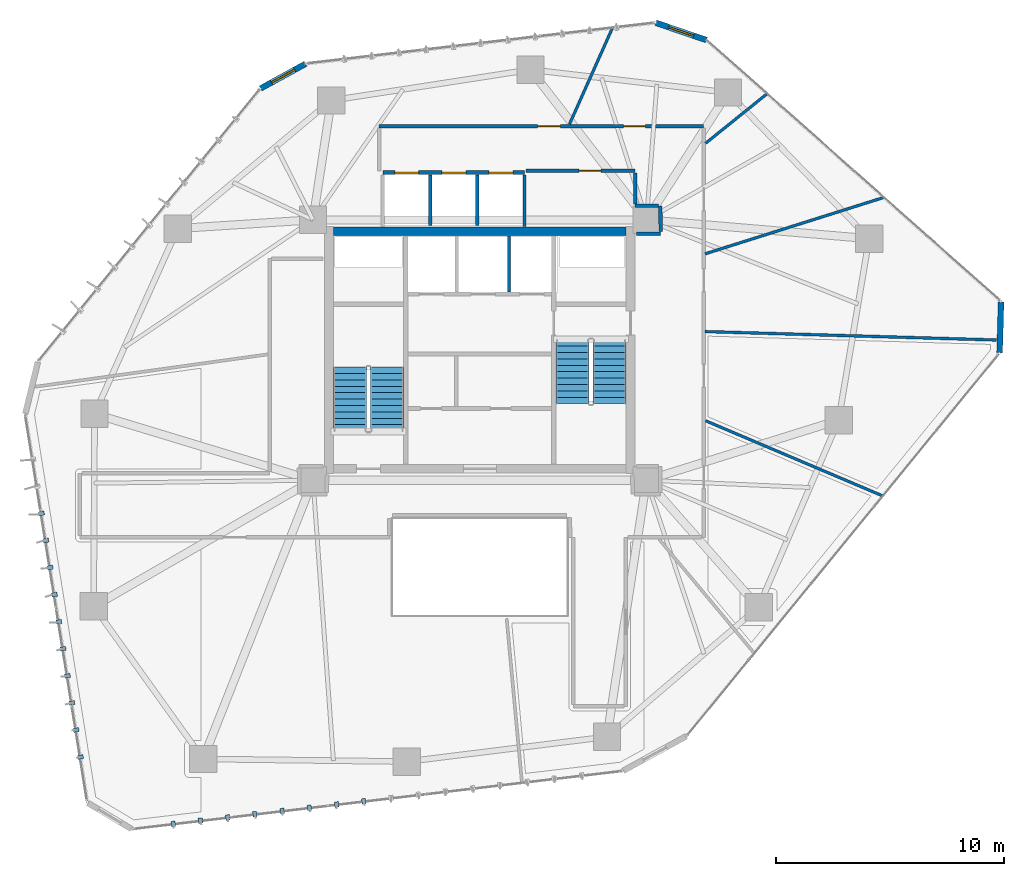
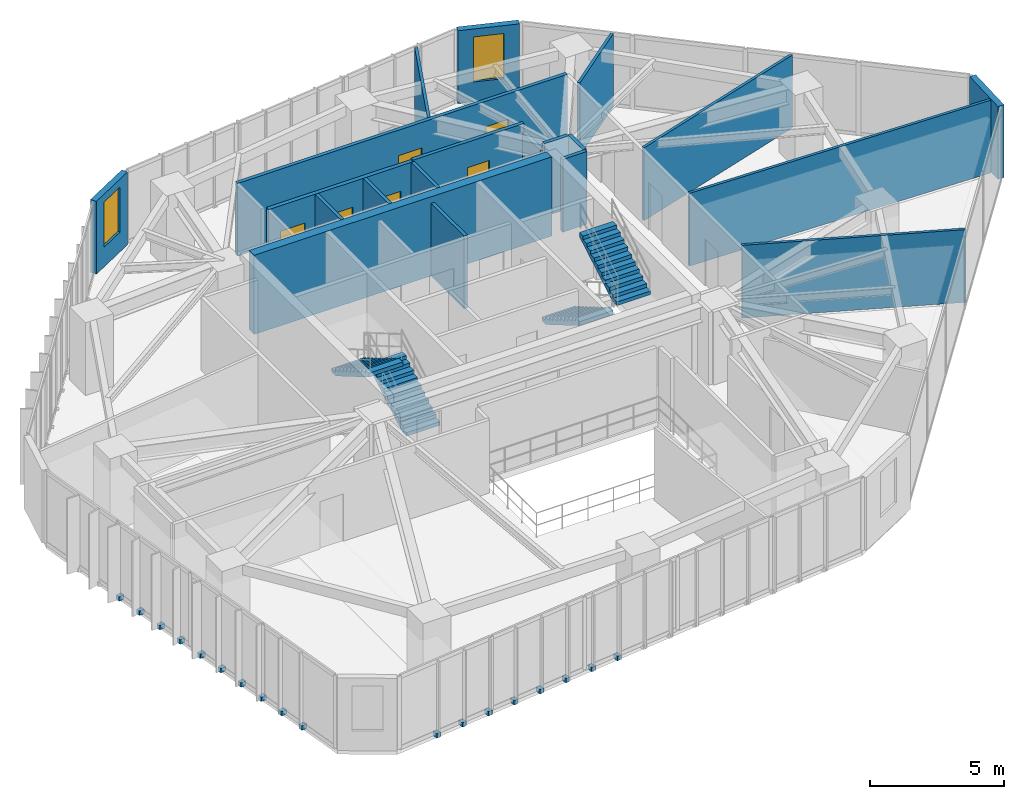
# One storey, part 20 of 24: 20 walls, 18 discrete accessories, 6 doors, 4 stair flights, 2 windows, 8 openings, 2 elements without a shape of their own.
"""IFC4 building model written with IfcOpenShell, lengths in metres."""

from ifc_helpers import new_model, si_unit, direction, frame, frame_2d, origin, origin_2d, place, context, subcontext, project, spatial, polyline, rectangle, outline, extrude, source, transform, mapped, material, layer, layer_set, type_object, type_shapes, element, fill, aggregate, save


model = new_model("IFC4")

# Units and contexts
model_context = context("Model", 3, precision=1e-05, world=origin(), true_north=direction((0.0, 1.0)))
body_context = subcontext(model_context, "Body", "Model", "MODEL_VIEW")
ifc_project = project(units=[si_unit("LENGTHUNIT", "METRE"), si_unit("AREAUNIT", "SQUARE_METRE"), si_unit("VOLUMEUNIT", "CUBIC_METRE"), si_unit("PLANEANGLEUNIT", "RADIAN"), si_unit("MASSUNIT", "GRAM", prefix="KILO")], contexts=[model_context])

# Site, building, storey
site_placement = place(None, origin())
site = spatial("IfcSite", under=ifc_project, at=site_placement, CompositionType="ELEMENT")
building_placement = place(site_placement, origin())
building = spatial("IfcBuilding", under=site, at=building_placement, Name="Talar Marvaseh", CompositionType="ELEMENT")
storey_placement = place(building_placement, frame((0.0, 0.0, 111.0)))
storey = spatial("IfcBuildingStorey", under=building, at=storey_placement, Name="L28", CompositionType="ELEMENT", Elevation=111.0)

# Wall, opening, window
ifc_material_1 = material(Name="Precast concrete C45/55", Category="concrete")
ifc_layer_1 = layer(ifc_material_1, 0.2548828125)
ifc_layer_set_1 = layer_set([ifc_layer_1], Name="Precast concrete C45/55")
wall_type_1 = type_object("IfcWallType", Name="Chamfered Hexagonal Corner Pier Wall Z2 255", PredefinedType="SOLIDWALL", material=ifc_layer_set_1)
wall_1_placement = place(storey_placement, frame((16.407470703125, 42.651123046875, 0.0), z_axis=(0.0, 0.0, 1.0), x_axis=(0.876725134961, 0.480991723138, 0.0)))
wall_1 = element("IfcWall", 1, at=wall_1_placement, inside=storey, type_object=wall_type_1, Name="L28 Chamfered Corner Limestone Pier 3", PredefinedType="SOLIDWALL", context=body_context, shape_type="SweptSolid", body=[
    extrude(rectangle(XDim=2.2451171875, YDim=0.2548828125, at=frame_2d((1.12255859375, 0.0))), origin(), (0.0, 0.0, 1.0), 3.31005859375),
])
opening_1_placement = place(wall_1_placement, frame((0.548095703125, 0.0, 0.89990234375)))
opening_1 = element("IfcOpeningElement", 2, at=opening_1_placement, cuts=wall_1, Name="Opening WN-CHM11", PredefinedType="OPENING", context=body_context, shape_type="SweptSolid", body=[
    extrude(rectangle(XDim=1.14990234375, YDim=2.050048828125, at=frame_2d((0.574951171875, 1.02490234375))), frame((0.0, 0.137451171875, 0.0), z_axis=(0.0, -1.0, 0.0), x_axis=(1.0, 0.0, 0.0)), (0.0, 0.0, 1.0), 0.27490234375),
])
ifc_material_2 = material(Name="Laminated Low-E Solar Glass", Category="glass")
window_type = type_object("IfcWindowType", Name="Zone 2 Chamfered Corner Slot Window 1150x2050", PartitioningType="SINGLE_PANEL", PredefinedType="WINDOW", material=ifc_material_2)
shared_shape_1 = source(origin(), body_context, "Body", "SweptSolid", [
    extrude(rectangle(XDim=1.14990234375, YDim=2.050048828125, at=frame_2d((0.574951171875, 1.02490234375))), frame((0.0, 0.030029296875, 0.0), z_axis=(0.0, -1.0, 0.0), x_axis=(1.0, 0.0, 0.0)), (0.0, 0.0, 1.0), 0.06005859375),
])
type_shapes(window_type, [shared_shape_1])
window_1_placement = place(opening_1_placement, origin())
window_1 = element("IfcWindow", 3, at=window_1_placement, inside=storey, type_object=window_type, Name="L28 Chamfered Corner Slot Window", OverallHeight=2.050048828125, OverallWidth=1.14990234375, PartitioningType="SINGLE_PANEL", PredefinedType="WINDOW", context=body_context, shape_type="MappedRepresentation", body=[
    mapped(shared_shape_1, transform((0.0, 0.0, 0.0), x_axis=(1.0, 0.0, 0.0), y_axis=(0.0, 1.0, 0.0), z_axis=(0.0, 0.0, 1.0), scale=1.0)),
])
fill(opening_1, window_1)

wall_2_placement = place(storey_placement, frame((33.709716796875, 45.52587890625, 0.0), z_axis=(0.0, 0.0, 1.0), x_axis=(0.946214410177, -0.32354024475, 0.0)))
wall_2 = element("IfcWall", 4, at=wall_2_placement, inside=storey, type_object=wall_type_1, Name="L28 Chamfered Corner Limestone Pier 4", PredefinedType="SOLIDWALL", context=body_context, shape_type="SweptSolid", body=[
    extrude(rectangle(XDim=2.3408203125, YDim=0.2548828125, at=frame_2d((1.17041015625, 0.0))), origin(), (0.0, 0.0, 1.0), 3.31005859375),
])
opening_2_placement = place(wall_2_placement, frame((0.594970703125, 0.0, 0.89990234375)))
opening_2 = element("IfcOpeningElement", 5, at=opening_2_placement, cuts=wall_2, Name="Opening WN-CHM11", PredefinedType="OPENING", context=body_context, shape_type="SweptSolid", body=[
    extrude(rectangle(XDim=1.14990234375, YDim=2.050048828125, at=frame_2d((0.574951171875, 1.02490234375))), frame((0.0, 0.137451171875, 0.0), z_axis=(0.0, -1.0, 0.0), x_axis=(1.0, 0.0, 0.0)), (0.0, 0.0, 1.0), 0.27490234375),
])
window_2_placement = place(opening_2_placement, origin())
window_2 = element("IfcWindow", 6, at=window_2_placement, inside=storey, type_object=window_type, Name="L28 Chamfered Corner Slot Window", OverallHeight=2.050048828125, OverallWidth=1.14990234375, PartitioningType="SINGLE_PANEL", PredefinedType="WINDOW", context=body_context, shape_type="MappedRepresentation", body=[
    mapped(shared_shape_1, transform((0.0, 0.0, 0.0), x_axis=(1.0, 0.0, 0.0), y_axis=(0.0, 1.0, 0.0), z_axis=(0.0, 0.0, 1.0), scale=1.0)),
])
fill(opening_2, window_2)

# Wall
wall_3_placement = place(storey_placement, frame((48.82177734375, 33.296875, 0.0), z_axis=(0.0, 0.0, 1.0), x_axis=(-0.029298711445, -0.999570700605, 0.0)))
element("IfcWall", 7, at=wall_3_placement, inside=storey, type_object=wall_type_1, Name="L28 Chamfered Corner Limestone Pier 5", PredefinedType="SOLIDWALL", context=body_context, shape_type="SweptSolid", body=[
    extrude(rectangle(XDim=2.216552734375, YDim=0.2548828125, at=frame_2d((1.1083984375, 0.0))), origin(), (0.0, 0.0, 1.0), 3.31005859375),
])

# Wall, opening, door
ifc_material_3 = material(Name="Gypsum Board Partition Assembly")
ifc_layer_2 = layer(ifc_material_3, 0.155029296875)
ifc_layer_set_2 = layer_set([ifc_layer_2], Name="Gypsum Board Partition Assembly")
wall_type_2 = type_object("IfcWallType", Name="Corridor Fire-Rated Acoustic Partition 155", PredefinedType="PARTITIONING", material=ifc_layer_set_2)
wall_4_placement = place(storey_placement, frame((32.800048828125, 39.0400390625, 0.0), z_axis=(0.0, 0.0, 1.0), x_axis=(-1.0, 0.0, 0.0)))
wall_4 = element("IfcWall", 8, at=wall_4_placement, inside=storey, type_object=wall_type_2, Name="L28 Interior Partition Wall", PredefinedType="PARTITIONING", context=body_context, shape_type="SweptSolid", body=[
    extrude(rectangle(XDim=4.77001953125, YDim=0.155029296875, at=frame_2d((2.385009765625, 0.0))), origin(), (0.0, 0.0, 1.0), 3.31005859375),
])
opening_3_placement = place(wall_4_placement, frame((1.494873046875, 0.0, 0.0)))
opening_3 = element("IfcOpeningElement", 9, at=opening_3_placement, cuts=wall_4, Name="Opening DR-WC095", PredefinedType="OPENING", context=body_context, shape_type="SweptSolid", body=[
    extrude(rectangle(XDim=0.949951171875, YDim=2.14990234375, at=frame_2d((0.47509765625, 1.074951171875))), frame((0.0, 0.08740234375, 0.0), z_axis=(0.0, -1.0, 0.0), x_axis=(1.0, 0.0, 0.0)), (0.0, 0.0, 1.0), 0.175048828125),
])
ifc_material_4 = material(Name="Acoustic Engineered Oak Timber", Category="wood")
door_type_1 = type_object("IfcDoorType", Name="Washroom and Service Room Door 950x2150", OperationType="NOTDEFINED", PredefinedType="DOOR", material=ifc_material_4)
shared_shape_2 = source(origin(), body_context, "Body", "SweptSolid", [
    extrude(rectangle(XDim=0.949951171875, YDim=2.14990234375, at=frame_2d((0.47509765625, 1.074951171875))), frame((0.0, 0.02490234375, 0.0), z_axis=(0.0, -1.0, 0.0), x_axis=(1.0, 0.0, 0.0)), (0.0, 0.0, 1.0), 0.050048828125),
])
type_shapes(door_type_1, [shared_shape_2])
door_1_placement = place(opening_3_placement, origin())
door_1 = element("IfcDoor", 10, at=door_1_placement, inside=storey, type_object=door_type_1, Name="L28 WC Public Washrooms Door", OperationType="SINGLE_SWING_RIGHT", OverallHeight=2.14990234375, OverallWidth=0.949951171875, PredefinedType="DOOR", context=body_context, shape_type="MappedRepresentation", body=[
    mapped(shared_shape_2, transform((0.0, 0.0, 0.0), x_axis=(1.0, 0.0, 0.0), y_axis=(0.0, 1.0, 0.0), z_axis=(0.0, 0.0, 1.0), scale=1.0)),
])
fill(opening_3, door_1)

# Wall, openings, doors
wall_5_placement = place(storey_placement, frame((21.60009765625, 41.0, 0.0), z_axis=(0.0, 0.0, 1.0), x_axis=(1.0, 0.0, 0.0)))
wall_5 = element("IfcWall", 11, at=wall_5_placement, inside=storey, type_object=wall_type_2, Name="L28 Interior Partition Wall", PredefinedType="PARTITIONING", context=body_context, shape_type="SweptSolid", body=[
    extrude(rectangle(XDim=14.199951171875, YDim=0.155029296875, at=frame_2d((7.10009765625, 0.0))), origin(), (0.0, 0.0, 1.0), 3.31005859375),
])
opening_4_placement = place(wall_5_placement, frame((10.7001953125, 0.0, 0.0)))
opening_4 = element("IfcOpeningElement", 12, at=opening_4_placement, cuts=wall_5, Name="Opening DR-WC095", PredefinedType="OPENING", context=body_context, shape_type="SweptSolid", body=[
    extrude(rectangle(XDim=0.949951171875, YDim=2.14990234375, at=frame_2d((0.47509765625, 1.074951171875))), frame((0.0, 0.08740234375, 0.0), z_axis=(0.0, -1.0, 0.0), x_axis=(1.0, 0.0, 0.0)), (0.0, 0.0, 1.0), 0.175048828125),
])
opening_5_placement = place(wall_5_placement, frame((6.930419921875, 0.0, 0.0)))
opening_5 = element("IfcOpeningElement", 13, at=opening_5_placement, cuts=wall_5, Name="Opening DR-RM100", PredefinedType="OPENING", context=body_context, shape_type="SweptSolid", body=[
    extrude(rectangle(XDim=1.0, YDim=2.14990234375, at=frame_2d((0.5, 1.074951171875))), frame((0.0, 0.08740234375, 0.0), z_axis=(0.0, -1.0, 0.0), x_axis=(1.0, 0.0, 0.0)), (0.0, 0.0, 1.0), 0.175048828125),
])
door_2_placement = place(opening_4_placement, origin())
door_2 = element("IfcDoor", 14, at=door_2_placement, inside=storey, type_object=door_type_1, Name="L28 Accessible WC Door", OperationType="SINGLE_SWING_LEFT", OverallHeight=2.14990234375, OverallWidth=0.949951171875, PredefinedType="DOOR", context=body_context, shape_type="MappedRepresentation", body=[
    mapped(shared_shape_2, transform((0.0, 0.0, 0.0), x_axis=(1.0, 0.0, 0.0), y_axis=(0.0, 1.0, 0.0), z_axis=(0.0, 0.0, 1.0), scale=1.0)),
])
fill(opening_4, door_2)
door_type_2 = type_object("IfcDoorType", Name="Corridor Fire-Rated Gallery Door 1000x2150", OperationType="NOTDEFINED", PredefinedType="DOOR", material=ifc_material_4)
shared_shape_3 = source(origin(), body_context, "Body", "SweptSolid", [
    extrude(rectangle(XDim=1.0, YDim=2.14990234375, at=frame_2d((0.5, 1.074951171875))), frame((0.0, 0.02490234375, 0.0), z_axis=(0.0, -1.0, 0.0), x_axis=(1.0, 0.0, 0.0)), (0.0, 0.0, 1.0), 0.050048828125),
])
type_shapes(door_type_2, [shared_shape_3])
door_3_placement = place(opening_5_placement, origin())
door_3 = element("IfcDoor", 15, at=door_3_placement, inside=storey, type_object=door_type_2, Name="L28 Conservation Laboratory Door", OperationType="SINGLE_SWING_LEFT", OverallHeight=2.14990234375, OverallWidth=1.0, PredefinedType="DOOR", context=body_context, shape_type="MappedRepresentation", body=[
    mapped(shared_shape_3, transform((0.0, 0.0, 0.0), x_axis=(1.0, 0.0, 0.0), y_axis=(0.0, 1.0, 0.0), z_axis=(0.0, 0.0, 1.0), scale=1.0)),
])
fill(opening_5, door_3)

# Walls
wall_6_placement = place(storey_placement, frame((32.8701171875, 36.284912109375, 0.0), z_axis=(0.0, 0.0, 1.0), x_axis=(0.999895094683, 0.014484461652, 0.0)))
element("IfcWall", 16, at=wall_6_placement, inside=storey, type_object=wall_type_2, Name="L28 Interior Partition Wall", PredefinedType="PARTITIONING", context=body_context, shape_type="SweptSolid", body=[
    extrude(rectangle(XDim=1.044921875, YDim=0.155029296875, at=frame_2d((0.5224609375, 0.0))), origin(), (0.0, 0.0, 1.0), 3.31005859375),
])
wall_7_placement = place(storey_placement, frame((33.914794921875, 36.383544921875, 0.0), z_axis=(0.0, 0.0, 1.0), x_axis=(-0.003682817312, 0.999993218405, 0.0)))
element("IfcWall", 17, at=wall_7_placement, inside=storey, type_object=wall_type_2, Name="L28 Interior Partition Wall", PredefinedType="PARTITIONING", context=body_context, shape_type="SweptSolid", body=[
    extrude(rectangle(XDim=1.126953125, YDim=0.155029296875, at=frame_2d((0.5634765625, 0.0))), origin(), (0.0, 0.0, 1.0), 3.31005859375),
])
wall_8_placement = place(storey_placement, frame((33.8271484375, 37.510986328125, 0.0), z_axis=(0.0, 0.0, 1.0), x_axis=(-0.99999276797, 0.003803157663, 0.0)))
element("IfcWall", 18, at=wall_8_placement, inside=storey, type_object=wall_type_2, Name="L28 Interior Partition Wall", PredefinedType="PARTITIONING", context=body_context, shape_type="SweptSolid", body=[
    extrude(rectangle(XDim=1.027099609375, YDim=0.155029296875, at=frame_2d((0.513671875, 0.0))), origin(), (0.0, 0.0, 1.0), 3.31005859375),
])
wall_9_placement = place(storey_placement, frame((32.800048828125, 37.598388671875, 0.0), z_axis=(0.0, 0.0, 1.0), x_axis=(0.0, 1.0, 0.0)))
element("IfcWall", 19, at=wall_9_placement, inside=storey, type_object=wall_type_2, Name="L28 Interior Partition Wall", PredefinedType="PARTITIONING", context=body_context, shape_type="SweptSolid", body=[
    extrude(rectangle(XDim=1.358154296875, YDim=0.155029296875, at=frame_2d((0.67919921875, 0.0))), origin(), (0.0, 0.0, 1.0), 2.927001953125),
])
ifc_layer_3 = layer(ifc_material_3, 0.1201171875)
ifc_layer_set_3 = layer_set([ifc_layer_3], Name="Gypsum Board Partition Assembly")
wall_type_3 = type_object("IfcWallType", Name="Demountable Studio Room Partition 120", PredefinedType="PARTITIONING", material=ifc_layer_set_3)
wall_10_placement = place(storey_placement, frame((35.883544921875, 28.1044921875, 0.0), z_axis=(0.0, 0.0, 1.0), x_axis=(0.920570077992, -0.390577433431, 0.0)))
element("IfcWall", 20, at=wall_10_placement, inside=storey, type_object=wall_type_3, Name="L28 Interior Partition Wall", PredefinedType="PARTITIONING", context=body_context, shape_type="SweptSolid", body=[
    extrude(rectangle(XDim=8.4091796875, YDim=0.1201171875, at=frame_2d((4.20458984375, 0.0))), origin(), (0.0, 0.0, 1.0), 3.31005859375),
])
wall_11_placement = place(storey_placement, frame((35.864990234375, 32.008056640625, 0.0), z_axis=(0.0, 0.0, 1.0), x_axis=(0.999580859491, -0.028950049028, 0.0)))
element("IfcWall", 21, at=wall_11_placement, inside=storey, type_object=wall_type_3, Name="L28 Interior Partition Wall", PredefinedType="PARTITIONING", context=body_context, shape_type="SweptSolid", body=[
    extrude(rectangle(XDim=12.7509765625, YDim=0.1201171875, at=frame_2d((6.37548828125, 0.0))), origin(), (0.0, 0.0, 1.0), 3.31005859375),
])
wall_12_placement = place(storey_placement, frame((35.862060546875, 35.40966796875, 0.0), z_axis=(0.0, 0.0, 1.0), x_axis=(0.95366062415, 0.300884386344, 0.0)))
element("IfcWall", 22, at=wall_12_placement, inside=storey, type_object=wall_type_3, Name="L28 Interior Partition Wall", PredefinedType="PARTITIONING", context=body_context, shape_type="SweptSolid", body=[
    extrude(rectangle(XDim=8.184814453125, YDim=0.1201171875, at=frame_2d((4.09228515625, 0.0))), origin(), (0.0, 0.0, 1.0), 3.31005859375),
])
wall_13_placement = place(storey_placement, frame((35.883544921875, 40.247314453125, 0.0), z_axis=(0.0, 0.0, 1.0), x_axis=(0.778840676671, 0.627221811134, 0.0)))
element("IfcWall", 23, at=wall_13_placement, inside=storey, type_object=wall_type_3, Name="L28 Interior Partition Wall", PredefinedType="PARTITIONING", context=body_context, shape_type="SweptSolid", body=[
    extrude(rectangle(XDim=3.436279296875, YDim=0.1201171875, at=frame_2d((1.71826171875, 0.0))), origin(), (0.0, 0.0, 1.0), 3.31005859375),
])
wall_14_placement = place(storey_placement, frame((29.92724609375, 41.08349609375, 0.0), z_axis=(0.0, 0.0, 1.0), x_axis=(0.407599507772, 0.913160797047, 0.0)))
element("IfcWall", 24, at=wall_14_placement, inside=storey, type_object=wall_type_3, Name="L28 Interior Partition Wall", PredefinedType="PARTITIONING", context=body_context, shape_type="SweptSolid", body=[
    extrude(rectangle(XDim=4.60302734375, YDim=0.1201171875, at=frame_2d((2.301513671875, 0.0))), origin(), (0.0, 0.0, 1.0), 3.31005859375),
])
ifc_layer_4 = layer(ifc_material_1, 0.14501953125)
ifc_layer_set_4 = layer_set([ifc_layer_4], Name="Precast concrete C45/55")
wall_type_4 = type_object("IfcWallType", Name="Fire-Rated Lift Divider Wall 145", PredefinedType="SOLIDWALL", material=ifc_layer_set_4)
wall_15_placement = place(storey_placement, frame((27.280029296875, 33.743408203125, 0.0), z_axis=(0.0, 0.0, 1.0), x_axis=(0.0, 1.0, 0.0)))
element("IfcWall", 25, at=wall_15_placement, inside=storey, type_object=wall_type_4, Name="L28 FFL-2/SVL-1 Divider", PredefinedType="SOLIDWALL", context=body_context, shape_type="SweptSolid", body=[
    extrude(rectangle(XDim=2.45654296875, YDim=0.14501953125, at=frame_2d((1.228271484375, 0.0))), origin(), (0.0, 0.0, 1.0), 3.31005859375),
])
wall_16_placement = place(storey_placement, frame((27.9599609375, 36.60009765625, 0.0), z_axis=(0.0, 0.0, 1.0), x_axis=(0.0, 1.0, 0.0)))
element("IfcWall", 26, at=wall_16_placement, inside=storey, type_object=wall_type_4, Name="L28 Low-Rise Bank East Wall", PredefinedType="SOLIDWALL", context=body_context, shape_type="SweptSolid", body=[
    extrude(rectangle(XDim=2.266357421875, YDim=0.14501953125, at=frame_2d((1.13330078125, 0.0))), origin(), (0.0, 0.0, 1.0), 3.31005859375),
])
for number, where, z_axis, x_axis, name in (
    (27, (23.830078125, 36.659912109375, 0.0), (0.0, 0.0, 1.0), (0.0, 1.0, 0.0), "L28 PL-L1/PL-L2 Divider"),
    (28, (25.889892578125, 36.659912109375, 0.0), (0.0, 0.0, 1.0), (0.0, 1.0, 0.0), "L28 PL-L2/PL-L3 Divider"),
):
    element("IfcWall", number, at=place(storey_placement, frame(where, z_axis=z_axis, x_axis=x_axis)), inside=storey, type_object=wall_type_4, Name=name, PredefinedType="SOLIDWALL", context=body_context, shape_type="SweptSolid", body=[
        extrude(rectangle(XDim=2.20654296875, YDim=0.14501953125, at=frame_2d((1.103271484375, 0.0))), origin(), (0.0, 0.0, 1.0), 3.31005859375),
    ])

# Wall, openings, doors
ifc_layer_5 = layer(ifc_material_1, 0.175048828125)
ifc_layer_set_5 = layer_set([ifc_layer_5], Name="Precast concrete C45/55")
wall_type_5 = type_object("IfcWallType", Name="Fire-Rated Lift Hoistway Enclosure Wall 175", PredefinedType="SOLIDWALL", material=ifc_layer_set_5)
wall_17_placement = place(storey_placement, frame((21.760009765625, 38.9599609375, 0.0), z_axis=(0.0, 0.0, 1.0), x_axis=(1.0, 0.0, 0.0)))
wall_17 = element("IfcWall", 29, at=wall_17_placement, inside=storey, type_object=wall_type_5, Name="L28 Low-Rise Lift Bank Front Wall", PredefinedType="SOLIDWALL", context=body_context, shape_type="SweptSolid", body=[
    extrude(rectangle(XDim=6.199951171875, YDim=0.175048828125, at=frame_2d((3.10009765625, 0.0))), origin(), (0.0, 0.0, 1.0), 3.31005859375),
])
opening_6_placement = place(wall_17_placement, frame((0.52001953125, 0.0, 0.0)))
opening_6 = element("IfcOpeningElement", 30, at=opening_6_placement, cuts=wall_17, Name="Opening LD-PLL1", PredefinedType="OPENING", context=body_context, shape_type="SweptSolid", body=[
    extrude(rectangle(XDim=1.050048828125, YDim=2.14990234375, at=frame_2d((0.52490234375, 1.074951171875))), frame((0.0, 0.09765625, 0.0), z_axis=(0.0, -1.0, 0.0), x_axis=(1.0, 0.0, 0.0)), (0.0, 0.0, 1.0), 0.195068359375),
])
opening_7_placement = place(wall_17_placement, frame((2.580078125, 0.0, 0.0)))
opening_7 = element("IfcOpeningElement", 31, at=opening_7_placement, cuts=wall_17, Name="Opening LD-PLL2", PredefinedType="OPENING", context=body_context, shape_type="SweptSolid", body=[
    extrude(rectangle(XDim=1.050048828125, YDim=2.14990234375, at=frame_2d((0.52490234375, 1.074951171875))), frame((0.0, 0.09765625, 0.0), z_axis=(0.0, -1.0, 0.0), x_axis=(1.0, 0.0, 0.0)), (0.0, 0.0, 1.0), 0.195068359375),
])
opening_8_placement = place(wall_17_placement, frame((4.639892578125, 0.0, 0.0)))
opening_8 = element("IfcOpeningElement", 32, at=opening_8_placement, cuts=wall_17, Name="Opening LD-PLL3", PredefinedType="OPENING", context=body_context, shape_type="SweptSolid", body=[
    extrude(rectangle(XDim=1.050048828125, YDim=2.14990234375, at=frame_2d((0.52490234375, 1.074951171875))), frame((0.0, 0.09765625, 0.0), z_axis=(0.0, -1.0, 0.0), x_axis=(1.0, 0.0, 0.0)), (0.0, 0.0, 1.0), 0.195068359375),
])
ifc_material_5 = material(Name="Stainless Steel Grade 316", Category="steel")
door_type_3 = type_object("IfcDoorType", Name="Automatic Sliding Lift Landing Door 1050x2150", OperationType="NOTDEFINED", PredefinedType="DOOR", material=ifc_material_5)
shared_shape_4 = source(origin(), body_context, "Body", "SweptSolid", [
    extrude(rectangle(XDim=1.050048828125, YDim=2.14990234375, at=frame_2d((0.52490234375, 1.074951171875))), frame((0.0, 0.02490234375, 0.0), z_axis=(0.0, -1.0, 0.0), x_axis=(1.0, 0.0, 0.0)), (0.0, 0.0, 1.0), 0.050048828125),
])
type_shapes(door_type_3, [shared_shape_4])
door_4_placement = place(opening_6_placement, origin())
door_4 = element("IfcDoor", 33, at=door_4_placement, inside=storey, type_object=door_type_3, Name="L28 Lift PL-L1 Sliding Landing Door", OperationType="SLIDING_TO_LEFT", OverallHeight=2.14990234375, OverallWidth=1.050048828125, PredefinedType="DOOR", context=body_context, shape_type="MappedRepresentation", body=[
    mapped(shared_shape_4, transform((0.0, 0.0, 0.0), x_axis=(1.0, 0.0, 0.0), y_axis=(0.0, 1.0, 0.0), z_axis=(0.0, 0.0, 1.0), scale=1.0)),
])
fill(opening_6, door_4)
door_5_placement = place(opening_7_placement, origin())
door_5 = element("IfcDoor", 34, at=door_5_placement, inside=storey, type_object=door_type_3, Name="L28 Lift PL-L2 Sliding Landing Door", OperationType="SLIDING_TO_LEFT", OverallHeight=2.14990234375, OverallWidth=1.050048828125, PredefinedType="DOOR", context=body_context, shape_type="MappedRepresentation", body=[
    mapped(shared_shape_4, transform((0.0, 0.0, 0.0), x_axis=(1.0, 0.0, 0.0), y_axis=(0.0, 1.0, 0.0), z_axis=(0.0, 0.0, 1.0), scale=1.0)),
])
fill(opening_7, door_5)
door_6_placement = place(opening_8_placement, origin())
door_6 = element("IfcDoor", 35, at=door_6_placement, inside=storey, type_object=door_type_3, Name="L28 Lift PL-L3 Sliding Landing Door", OperationType="SLIDING_TO_LEFT", OverallHeight=2.14990234375, OverallWidth=1.050048828125, PredefinedType="DOOR", context=body_context, shape_type="MappedRepresentation", body=[
    mapped(shared_shape_4, transform((0.0, 0.0, 0.0), x_axis=(1.0, 0.0, 0.0), y_axis=(0.0, 1.0, 0.0), z_axis=(0.0, 0.0, 1.0), scale=1.0)),
])
fill(opening_8, door_6)

# Wall
ifc_material_6 = material(Name="Concrete C60/75", Category="concrete")
ifc_layer_6 = layer(ifc_material_6, 0.3798828125)
ifc_layer_set_6 = layer_set([ifc_layer_6], Name="Concrete C60/75")
wall_type_6 = type_object("IfcWallType", Name="Mid Core Reinforced Concrete Shear Wall 380", PredefinedType="SHEAR", material=ifc_layer_set_6)
wall_18_placement = place(storey_placement, frame((19.60009765625, 36.39990234375, 0.0), z_axis=(0.0, 0.0, 1.0), x_axis=(1.0, 0.0, 0.0)))
element("IfcWall", 36, at=wall_18_placement, inside=storey, type_object=wall_type_6, Name="L28 North Core Shear Wall", PredefinedType="SHEAR", context=body_context, shape_type="SweptSolid", body=[
    extrude(rectangle(XDim=12.7998046875, YDim=0.3798828125, at=frame_2d((6.39990234375, 0.0))), origin(), (0.0, 0.0, 1.0), 3.60009765625),
])

# Stair, stair flights
ifc_material_7 = material(Name="Concrete C40/50", Category="concrete")
stair_type = type_object("IfcStairType", Name="Reinforced Concrete Half-Turn Exit Stair Type B", PredefinedType="HALF_TURN_STAIR", material=ifc_material_7)
stair_1_placement = place(storey_placement, origin())
stair_1 = element("IfcStair", 37, at=stair_1_placement, inside=storey, type_object=stair_type, Name="L28 Tower West Core Exit Stair", PredefinedType="HALF_TURN_STAIR")
ifc_layer_7 = layer(ifc_material_7, 0.159912109375)
ifc_layer_set_7 = layer_set([ifc_layer_7], Name="Concrete C40/50")
stair_flight_type = type_object("IfcStairFlightType", Name="Reinforced Concrete Straight Stair Flight 160", PredefinedType="STRAIGHT", material=ifc_layer_set_7)
stair_flight_1_placement = place(storey_placement, frame((21.93505859375, 27.64990234375, 0.0), z_axis=(0.0, 0.0, 1.0), x_axis=(0.0, 1.0, 0.0)))
stair_flight_1 = element("IfcStairFlight", 38, at=stair_flight_1_placement, type_object=stair_flight_type, Name="ST-1 flight 1", NumberOfRisers=11, NumberOfTreads=10, PredefinedType="STRAIGHT", RiserHeight=0.163636364, TreadLength=0.28, context=body_context, shape_type="SweptSolid", body=[
    extrude(outline(polyline([(0.0, 0.0), (0.0, 0.16357421875), (0.280029296875, 0.16357421875), (0.280029296875, 0.327392578125), (0.56005859375, 0.327392578125), (0.56005859375, 0.490966796875), (0.840087890625, 0.490966796875), (0.840087890625, 0.654541015625), (1.1201171875, 0.654541015625), (1.1201171875, 0.818115234375), (1.39990234375, 0.818115234375), (1.39990234375, 0.98193359375), (1.679931640625, 0.98193359375), (1.679931640625, 1.1455078125), (1.9599609375, 1.1455078125), (1.9599609375, 1.30908203125), (2.239990234375, 1.30908203125), (2.239990234375, 1.47265625), (2.52001953125, 1.47265625), (2.52001953125, 1.636474609375), (2.800048828125, 1.636474609375), (2.800048828125, 1.800048828125), (2.800048828125, 1.451171875), (0.31689453125, 0.0), (0.0, 0.0)])), frame((0.0, 0.72509765625, 0.0), z_axis=(0.0, -1.0, 0.0), x_axis=(1.0, 0.0, 0.0)), (0.0, 0.0, 1.0), 1.449951171875),
])
stair_flight_2_placement = place(storey_placement, frame((20.324951171875, 30.449951171875, 1.800048828125), z_axis=(0.0, 0.0, 1.0), x_axis=(0.0, -1.0, 0.0)))
stair_flight_2 = element("IfcStairFlight", 39, at=stair_flight_2_placement, type_object=stair_flight_type, Name="ST-1 flight 2", NumberOfRisers=11, NumberOfTreads=10, PredefinedType="STRAIGHT", RiserHeight=0.163636364, TreadLength=0.28, context=body_context, shape_type="SweptSolid", body=[
    extrude(outline(polyline([(0.0, 0.0), (0.0, 0.16357421875), (0.280029296875, 0.16357421875), (0.280029296875, 0.327392578125), (0.56005859375, 0.327392578125), (0.56005859375, 0.490966796875), (0.840087890625, 0.490966796875), (0.840087890625, 0.654541015625), (1.1201171875, 0.654541015625), (1.1201171875, 0.818115234375), (1.39990234375, 0.818115234375), (1.39990234375, 0.98193359375), (1.679931640625, 0.98193359375), (1.679931640625, 1.1455078125), (1.9599609375, 1.1455078125), (1.9599609375, 1.30908203125), (2.239990234375, 1.30908203125), (2.239990234375, 1.47265625), (2.52001953125, 1.47265625), (2.52001953125, 1.636474609375), (2.800048828125, 1.636474609375), (2.800048828125, 1.800048828125), (2.800048828125, 1.451171875), (0.31689453125, 0.0), (0.0, 0.0)])), frame((0.0, 0.72509765625, 0.0), z_axis=(0.0, -1.0, 0.0), x_axis=(1.0, 0.0, 0.0)), (0.0, 0.0, 1.0), 1.449951171875),
])
aggregate(stair_1, [stair_flight_1, stair_flight_2])

stair_2_placement = place(storey_placement, origin())
stair_2 = element("IfcStair", 40, at=stair_2_placement, inside=storey, type_object=stair_type, Name="L28 Tower East Core Exit Stair", PredefinedType="HALF_TURN_STAIR")
stair_flight_3_placement = place(storey_placement, frame((30.06494140625, 31.64990234375, 0.0), z_axis=(0.0, 0.0, 1.0), x_axis=(0.0, -1.0, 0.0)))
stair_flight_3 = element("IfcStairFlight", 41, at=stair_flight_3_placement, type_object=stair_flight_type, Name="ST-2 flight 1", NumberOfRisers=11, NumberOfTreads=10, PredefinedType="STRAIGHT", RiserHeight=0.163636364, TreadLength=0.28, context=body_context, shape_type="SweptSolid", body=[
    extrude(outline(polyline([(0.0, 0.0), (0.0, 0.16357421875), (0.280029296875, 0.16357421875), (0.280029296875, 0.327392578125), (0.56005859375, 0.327392578125), (0.56005859375, 0.490966796875), (0.840087890625, 0.490966796875), (0.840087890625, 0.654541015625), (1.1201171875, 0.654541015625), (1.1201171875, 0.818115234375), (1.39990234375, 0.818115234375), (1.39990234375, 0.98193359375), (1.679931640625, 0.98193359375), (1.679931640625, 1.1455078125), (1.9599609375, 1.1455078125), (1.9599609375, 1.30908203125), (2.239990234375, 1.30908203125), (2.239990234375, 1.47265625), (2.52001953125, 1.47265625), (2.52001953125, 1.636474609375), (2.800048828125, 1.636474609375), (2.800048828125, 1.800048828125), (2.800048828125, 1.451171875), (0.31689453125, 0.0), (0.0, 0.0)])), frame((0.0, 0.72509765625, 0.0), z_axis=(0.0, -1.0, 0.0), x_axis=(1.0, 0.0, 0.0)), (0.0, 0.0, 1.0), 1.449951171875),
])
stair_flight_4_placement = place(storey_placement, frame((31.675048828125, 28.85009765625, 1.800048828125), z_axis=(0.0, 0.0, 1.0), x_axis=(0.0, 1.0, 0.0)))
stair_flight_4 = element("IfcStairFlight", 42, at=stair_flight_4_placement, type_object=stair_flight_type, Name="ST-2 flight 2", NumberOfRisers=11, NumberOfTreads=10, PredefinedType="STRAIGHT", RiserHeight=0.163636364, TreadLength=0.28, context=body_context, shape_type="SweptSolid", body=[
    extrude(outline(polyline([(0.0, 0.0), (0.0, 0.16357421875), (0.280029296875, 0.16357421875), (0.280029296875, 0.327392578125), (0.56005859375, 0.327392578125), (0.56005859375, 0.490966796875), (0.840087890625, 0.490966796875), (0.840087890625, 0.654541015625), (1.1201171875, 0.654541015625), (1.1201171875, 0.818115234375), (1.39990234375, 0.818115234375), (1.39990234375, 0.98193359375), (1.679931640625, 0.98193359375), (1.679931640625, 1.1455078125), (1.9599609375, 1.1455078125), (1.9599609375, 1.30908203125), (2.239990234375, 1.30908203125), (2.239990234375, 1.47265625), (2.52001953125, 1.47265625), (2.52001953125, 1.636474609375), (2.800048828125, 1.636474609375), (2.800048828125, 1.800048828125), (2.800048828125, 1.451171875), (0.31689453125, 0.0), (0.0, 0.0)])), frame((0.0, 0.72509765625, 0.0), z_axis=(0.0, -1.0, 0.0), x_axis=(1.0, 0.0, 0.0)), (0.0, 0.0, 1.0), 1.449951171875),
])
aggregate(stair_2, [stair_flight_3, stair_flight_4])

# Discrete accessories
discrete_accessory_type = type_object("IfcDiscreteAccessoryType", Name="Stainless Slab-Edge Fin Mounting Bracket", PredefinedType="BRACKET", material=ifc_material_5)
shared_shape_5 = source(origin(), body_context, "Body", "SweptSolid", [
    extrude(rectangle(XDim=0.239990234375, YDim=0.179931640625, at=origin_2d()), origin(), (0.0, 0.0, 1.0), 0.199951171875),
])
type_shapes(discrete_accessory_type, [shared_shape_5])
for number, where, z_axis, x_axis, name in (
    (43, (8.524658203125, 13.383056640625, -0.18017578125), (0.0, 0.0, 1.0), (-0.987413806751, -0.158158067254, 0.0), "L28 Vertical Fin Slab-Edge Bracket"),
    (44, (8.3349609375, 14.56787109375, -0.18017578125), (0.0, 0.0, 1.0), (-0.987413806751, -0.158158067254, 0.0), "L28 Vertical Fin Slab-Edge Bracket"),
    (45, (8.145263671875, 15.752685546875, -0.18017578125), (0.0, 0.0, 1.0), (-0.987413806751, -0.158158067254, 0.0), "L28 Vertical Fin Slab-Edge Bracket"),
    (46, (7.955322265625, 16.937744140625, -0.18017578125), (0.0, 0.0, 1.0), (-0.987413806751, -0.158158067254, 0.0), "L28 Vertical Fin Slab-Edge Bracket"),
    (47, (7.765625, 18.12255859375, -0.18017578125), (0.0, 0.0, 1.0), (-0.987413806751, -0.158158067254, 0.0), "L28 Vertical Fin Slab-Edge Bracket"),
    (48, (7.575927734375, 19.3076171875, -0.18017578125), (0.0, 0.0, 1.0), (-0.987413806751, -0.158158067254, 0.0), "L28 Vertical Fin Slab-Edge Bracket"),
    (49, (7.38623046875, 20.492431640625, -0.18017578125), (0.0, 0.0, 1.0), (-0.987413806751, -0.158158067254, 0.0), "L28 Vertical Fin Slab-Edge Bracket"),
    (50, (7.196533203125, 21.67724609375, -0.18017578125), (0.0, 0.0, 1.0), (-0.987413806751, -0.158158067254, 0.0), "L28 Vertical Fin Slab-Edge Bracket"),
    (51, (7.0068359375, 22.8623046875, -0.18017578125), (0.0, 0.0, 1.0), (-0.987413806751, -0.158158067254, 0.0), "L28 Vertical Fin Slab-Edge Bracket"),
    (52, (6.817138671875, 24.047119140625, -0.18017578125), (0.0, 0.0, 1.0), (-0.987413806751, -0.158158067254, 0.0), "L28 Vertical Fin Slab-Edge Bracket"),
    (53, (20.925537109375, 11.444580078125, -0.18017578125), (0.0, 0.0, 1.0), (0.117710718809, -0.993047927684, 0.0), "L28 Vertical Fin Slab-Edge Bracket"),
    (54, (19.73388671875, 11.30322265625, -0.18017578125), (0.0, 0.0, 1.0), (0.117710718809, -0.993047927684, 0.0), "L28 Vertical Fin Slab-Edge Bracket"),
    (55, (18.542236328125, 11.162109375, -0.18017578125), (0.0, 0.0, 1.0), (0.117710718809, -0.993047927684, 0.0), "L28 Vertical Fin Slab-Edge Bracket"),
    (56, (17.3505859375, 11.02099609375, -0.18017578125), (0.0, 0.0, 1.0), (0.117710718809, -0.993047927684, 0.0), "L28 Vertical Fin Slab-Edge Bracket"),
    (57, (16.158935546875, 10.879638671875, -0.18017578125), (0.0, 0.0, 1.0), (0.117710718809, -0.993047927684, 0.0), "L28 Vertical Fin Slab-Edge Bracket"),
    (58, (14.96728515625, 10.73828125, -0.18017578125), (0.0, 0.0, 1.0), (0.117710718809, -0.993047927684, 0.0), "L28 Vertical Fin Slab-Edge Bracket"),
    (59, (13.775634765625, 10.59716796875, -0.18017578125), (0.0, 0.0, 1.0), (0.117710718809, -0.993047927684, 0.0), "L28 Vertical Fin Slab-Edge Bracket"),
    (60, (12.583984375, 10.4560546875, -0.18017578125), (0.0, 0.0, 1.0), (0.117710718809, -0.993047927684, 0.0), "L28 Vertical Fin Slab-Edge Bracket"),
):
    element("IfcDiscreteAccessory", number, at=place(storey_placement, frame(where, z_axis=z_axis, x_axis=x_axis)), inside=storey, type_object=discrete_accessory_type, Name=name, PredefinedType="BRACKET", context=body_context, shape_type="MappedRepresentation", body=[
        mapped(shared_shape_5, transform((0.0, 0.0, 0.0), x_axis=(1.0, 0.0, 0.0), y_axis=(0.0, 1.0, 0.0), z_axis=(0.0, 0.0, 1.0), scale=1.0)),
    ])

save(model, "model.ifc")
